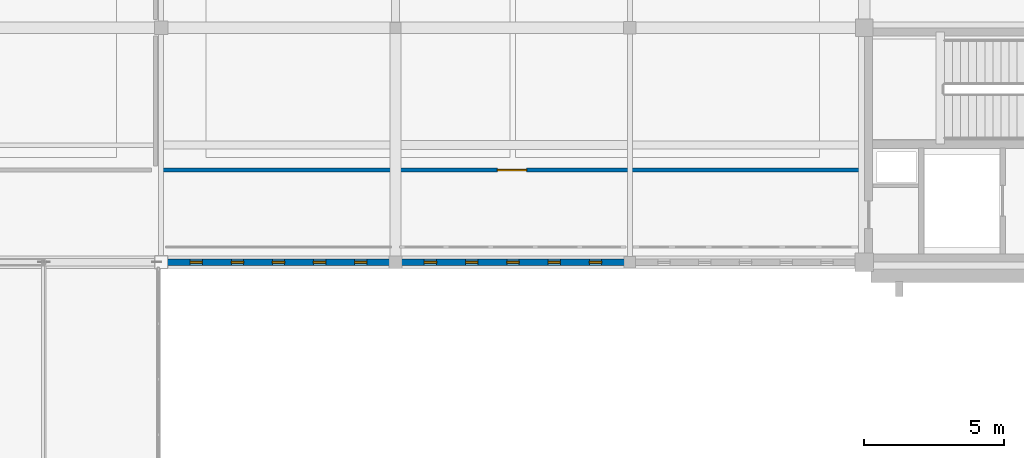
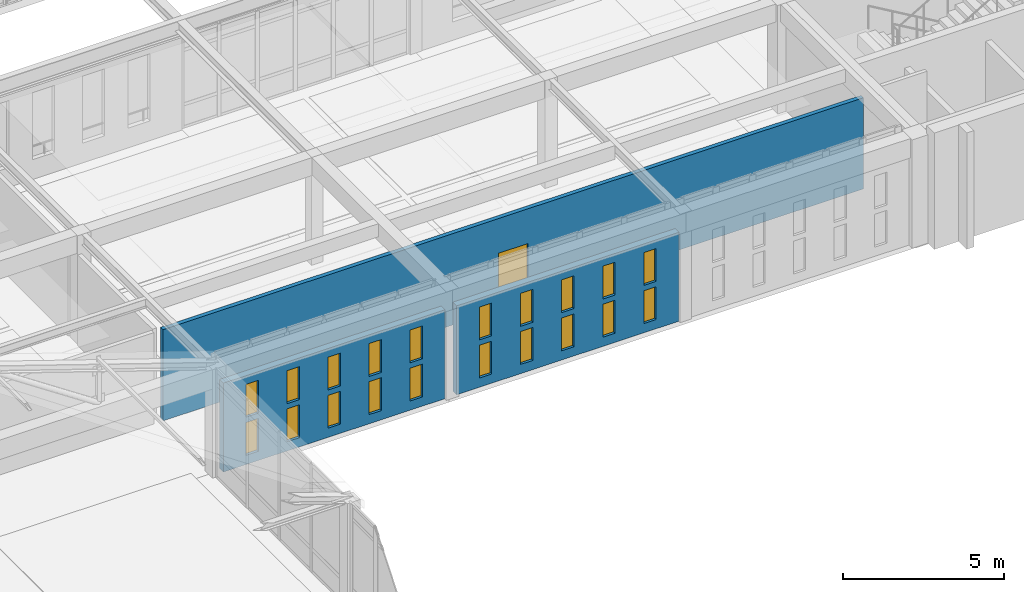
# One storey, part 169 of 192: 20 windows, 3 walls, 1 door, 21 openings.
"""IFC4 building model written with IfcOpenShell, lengths in metres."""

from ifc_helpers import new_model, si_unit, direction, frame, frame_2d, origin, place, context, subcontext, project, spatial, rectangle, extrude, material, layer, layer_set, type_object, element, fill, save


model = new_model("IFC4")

# Units and contexts
model_context = context("Model", 3, precision=1e-05, world=origin(), true_north=direction((0.0, 1.0)))
body_context = subcontext(model_context, "Body", "Model", "MODEL_VIEW")
ifc_project = project(units=[si_unit("LENGTHUNIT", "METRE"), si_unit("AREAUNIT", "SQUARE_METRE"), si_unit("VOLUMEUNIT", "CUBIC_METRE"), si_unit("PLANEANGLEUNIT", "RADIAN"), si_unit("MASSUNIT", "GRAM", prefix="KILO")], contexts=[model_context])

# Site, building, storey
site_placement = place(None, origin())
site = spatial("IfcSite", under=ifc_project, at=site_placement, CompositionType="ELEMENT")
building_placement = place(site_placement, origin())
building = spatial("IfcBuilding", under=site, at=building_placement, Name="Kveldsbrygga Polytechnic", CompositionType="ELEMENT")
storey_placement = place(building_placement, frame((0.0, 0.0, 5.43994140625)))
storey = spatial("IfcBuildingStorey", under=building, at=storey_placement, Name="L01", CompositionType="ELEMENT", Elevation=5.43994140625)

# Wall, openings, windows
ifc_material_1 = material(Name="Fired clay brick masonry M10", Category="masonry")
ifc_layer_1 = layer(ifc_material_1, 0.239990234375)
ifc_layer_set_1 = layer_set([ifc_layer_1], Name="Fired clay brick masonry M10")
wall_type_1 = type_object("IfcWallType", Name="EW-SCRN-240", PredefinedType="SOLIDWALL", material=ifc_layer_set_1)
wall_1_placement = place(storey_placement, frame((75.824951171875, 84.0, 0.0), z_axis=(0.0, 0.0, 1.0), x_axis=(1.0, 0.0, 0.0)))
wall_1 = element("IfcWall", 1, at=wall_1_placement, inside=storey, type_object=wall_type_1, Name="Perforated Brick Corridor Screen Wall SCRW-L01-X-09-10", PredefinedType="SOLIDWALL", context=body_context, shape_type="SweptSolid", body=[
    extrude(rectangle(XDim=7.965087890625, YDim=0.239990234375, at=frame_2d((3.982421875, 0.0))), origin(), (0.0, 0.0, 1.0), 3.380126953125),
])
opening_1_placement = place(wall_1_placement, frame((0.81640625, 0.0, 0.35009765625)))
opening_1 = element("IfcOpeningElement", 2, at=opening_1_placement, cuts=wall_1, Name="Opening W-48", PredefinedType="OPENING", context=body_context, shape_type="SweptSolid", body=[
    extrude(rectangle(XDim=0.43994140625, YDim=1.25, at=frame_2d((0.219970703125, 0.625))), frame((0.0, 0.1298828125, 0.0), z_axis=(0.0, -1.0, 0.0), x_axis=(1.0, 0.0, 0.0)), (0.0, 0.0, 1.0), 0.260009765625),
])
opening_2_placement = place(wall_1_placement, frame((2.28955078125, 0.0, 0.35009765625)))
opening_2 = element("IfcOpeningElement", 3, at=opening_2_placement, cuts=wall_1, Name="Opening W-48", PredefinedType="OPENING", context=body_context, shape_type="SweptSolid", body=[
    extrude(rectangle(XDim=0.43994140625, YDim=1.25, at=frame_2d((0.219970703125, 0.625))), frame((0.0, 0.1298828125, 0.0), z_axis=(0.0, -1.0, 0.0), x_axis=(1.0, 0.0, 0.0)), (0.0, 0.0, 1.0), 0.260009765625),
])
opening_3_placement = place(wall_1_placement, frame((3.762451171875, 0.0, 0.35009765625)))
opening_3 = element("IfcOpeningElement", 4, at=opening_3_placement, cuts=wall_1, Name="Opening W-48", PredefinedType="OPENING", context=body_context, shape_type="SweptSolid", body=[
    extrude(rectangle(XDim=0.43994140625, YDim=1.25, at=frame_2d((0.219970703125, 0.625))), frame((0.0, 0.1298828125, 0.0), z_axis=(0.0, -1.0, 0.0), x_axis=(1.0, 0.0, 0.0)), (0.0, 0.0, 1.0), 0.260009765625),
])
opening_4_placement = place(wall_1_placement, frame((5.235595703125, 0.0, 0.35009765625)))
opening_4 = element("IfcOpeningElement", 5, at=opening_4_placement, cuts=wall_1, Name="Opening W-48", PredefinedType="OPENING", context=body_context, shape_type="SweptSolid", body=[
    extrude(rectangle(XDim=0.43994140625, YDim=1.25, at=frame_2d((0.219970703125, 0.625))), frame((0.0, 0.1298828125, 0.0), z_axis=(0.0, -1.0, 0.0), x_axis=(1.0, 0.0, 0.0)), (0.0, 0.0, 1.0), 0.260009765625),
])
opening_5_placement = place(wall_1_placement, frame((6.70849609375, 0.0, 0.35009765625)))
opening_5 = element("IfcOpeningElement", 6, at=opening_5_placement, cuts=wall_1, Name="Opening W-48", PredefinedType="OPENING", context=body_context, shape_type="SweptSolid", body=[
    extrude(rectangle(XDim=0.43994140625, YDim=1.25, at=frame_2d((0.219970703125, 0.625))), frame((0.0, 0.1298828125, 0.0), z_axis=(0.0, -1.0, 0.0), x_axis=(1.0, 0.0, 0.0)), (0.0, 0.0, 1.0), 0.260009765625),
])
opening_6_placement = place(wall_1_placement, frame((0.81640625, 0.0, 1.800048828125)))
opening_6 = element("IfcOpeningElement", 7, at=opening_6_placement, cuts=wall_1, Name="Opening W-48", PredefinedType="OPENING", context=body_context, shape_type="SweptSolid", body=[
    extrude(rectangle(XDim=0.43994140625, YDim=1.25, at=frame_2d((0.219970703125, 0.625))), frame((0.0, 0.1298828125, 0.0), z_axis=(0.0, -1.0, 0.0), x_axis=(1.0, 0.0, 0.0)), (0.0, 0.0, 1.0), 0.260009765625),
])
opening_7_placement = place(wall_1_placement, frame((2.28955078125, 0.0, 1.800048828125)))
opening_7 = element("IfcOpeningElement", 8, at=opening_7_placement, cuts=wall_1, Name="Opening W-48", PredefinedType="OPENING", context=body_context, shape_type="SweptSolid", body=[
    extrude(rectangle(XDim=0.43994140625, YDim=1.25, at=frame_2d((0.219970703125, 0.625))), frame((0.0, 0.1298828125, 0.0), z_axis=(0.0, -1.0, 0.0), x_axis=(1.0, 0.0, 0.0)), (0.0, 0.0, 1.0), 0.260009765625),
])
opening_8_placement = place(wall_1_placement, frame((3.762451171875, 0.0, 1.800048828125)))
opening_8 = element("IfcOpeningElement", 9, at=opening_8_placement, cuts=wall_1, Name="Opening W-48", PredefinedType="OPENING", context=body_context, shape_type="SweptSolid", body=[
    extrude(rectangle(XDim=0.43994140625, YDim=1.25, at=frame_2d((0.219970703125, 0.625))), frame((0.0, 0.1298828125, 0.0), z_axis=(0.0, -1.0, 0.0), x_axis=(1.0, 0.0, 0.0)), (0.0, 0.0, 1.0), 0.260009765625),
])
opening_9_placement = place(wall_1_placement, frame((5.235595703125, 0.0, 1.800048828125)))
opening_9 = element("IfcOpeningElement", 10, at=opening_9_placement, cuts=wall_1, Name="Opening W-48", PredefinedType="OPENING", context=body_context, shape_type="SweptSolid", body=[
    extrude(rectangle(XDim=0.43994140625, YDim=1.25, at=frame_2d((0.219970703125, 0.625))), frame((0.0, 0.1298828125, 0.0), z_axis=(0.0, -1.0, 0.0), x_axis=(1.0, 0.0, 0.0)), (0.0, 0.0, 1.0), 0.260009765625),
])
opening_10_placement = place(wall_1_placement, frame((6.70849609375, 0.0, 1.800048828125)))
opening_10 = element("IfcOpeningElement", 11, at=opening_10_placement, cuts=wall_1, Name="Opening W-48", PredefinedType="OPENING", context=body_context, shape_type="SweptSolid", body=[
    extrude(rectangle(XDim=0.43994140625, YDim=1.25, at=frame_2d((0.219970703125, 0.625))), frame((0.0, 0.1298828125, 0.0), z_axis=(0.0, -1.0, 0.0), x_axis=(1.0, 0.0, 0.0)), (0.0, 0.0, 1.0), 0.260009765625),
])
ifc_material_2 = material(Name="Insulated triple low-E glass", Category="glass")
window_type = type_object("IfcWindowType", Name="WN-SCRN-044x125", PartitioningType="SINGLE_PANEL", PredefinedType="WINDOW", material=ifc_material_2)
window_1_placement = place(opening_1_placement, origin())
window_1 = element("IfcWindow", 12, at=window_1_placement, inside=storey, type_object=window_type, Name="Perforated Screen Aperture L01-X-09-10-1", OverallHeight=1.25, OverallWidth=0.43994140625, PartitioningType="SINGLE_PANEL", PredefinedType="WINDOW", context=body_context, shape_type="SweptSolid", body=[
    extrude(rectangle(XDim=0.43994140625, YDim=1.25, at=frame_2d((0.219970703125, 0.625))), frame((0.0, 0.030029296875, 0.0), z_axis=(0.0, -1.0, 0.0), x_axis=(1.0, 0.0, 0.0)), (0.0, 0.0, 1.0), 0.06005859375),
])
fill(opening_1, window_1)
window_2_placement = place(opening_2_placement, origin())
window_2 = element("IfcWindow", 13, at=window_2_placement, inside=storey, type_object=window_type, Name="Perforated Screen Aperture L01-X-09-10-2", OverallHeight=1.25, OverallWidth=0.43994140625, PartitioningType="SINGLE_PANEL", PredefinedType="WINDOW", context=body_context, shape_type="SweptSolid", body=[
    extrude(rectangle(XDim=0.43994140625, YDim=1.25, at=frame_2d((0.219970703125, 0.625))), frame((0.0, 0.030029296875, 0.0), z_axis=(0.0, -1.0, 0.0), x_axis=(1.0, 0.0, 0.0)), (0.0, 0.0, 1.0), 0.06005859375),
])
fill(opening_2, window_2)
window_3_placement = place(opening_3_placement, origin())
window_3 = element("IfcWindow", 14, at=window_3_placement, inside=storey, type_object=window_type, Name="Perforated Screen Aperture L01-X-09-10-3", OverallHeight=1.25, OverallWidth=0.43994140625, PartitioningType="SINGLE_PANEL", PredefinedType="WINDOW", context=body_context, shape_type="SweptSolid", body=[
    extrude(rectangle(XDim=0.43994140625, YDim=1.25, at=frame_2d((0.219970703125, 0.625))), frame((0.0, 0.030029296875, 0.0), z_axis=(0.0, -1.0, 0.0), x_axis=(1.0, 0.0, 0.0)), (0.0, 0.0, 1.0), 0.06005859375),
])
fill(opening_3, window_3)
window_4_placement = place(opening_4_placement, origin())
window_4 = element("IfcWindow", 15, at=window_4_placement, inside=storey, type_object=window_type, Name="Perforated Screen Aperture L01-X-09-10-4", OverallHeight=1.25, OverallWidth=0.43994140625, PartitioningType="SINGLE_PANEL", PredefinedType="WINDOW", context=body_context, shape_type="SweptSolid", body=[
    extrude(rectangle(XDim=0.43994140625, YDim=1.25, at=frame_2d((0.219970703125, 0.625))), frame((0.0, 0.030029296875, 0.0), z_axis=(0.0, -1.0, 0.0), x_axis=(1.0, 0.0, 0.0)), (0.0, 0.0, 1.0), 0.06005859375),
])
fill(opening_4, window_4)
window_5_placement = place(opening_5_placement, origin())
window_5 = element("IfcWindow", 16, at=window_5_placement, inside=storey, type_object=window_type, Name="Perforated Screen Aperture L01-X-09-10-5", OverallHeight=1.25, OverallWidth=0.43994140625, PartitioningType="SINGLE_PANEL", PredefinedType="WINDOW", context=body_context, shape_type="SweptSolid", body=[
    extrude(rectangle(XDim=0.43994140625, YDim=1.25, at=frame_2d((0.219970703125, 0.625))), frame((0.0, 0.030029296875, 0.0), z_axis=(0.0, -1.0, 0.0), x_axis=(1.0, 0.0, 0.0)), (0.0, 0.0, 1.0), 0.06005859375),
])
fill(opening_5, window_5)
window_6_placement = place(opening_6_placement, origin())
window_6 = element("IfcWindow", 17, at=window_6_placement, inside=storey, type_object=window_type, Name="Perforated Screen Aperture L01-X-09-10-6", OverallHeight=1.25, OverallWidth=0.43994140625, PartitioningType="SINGLE_PANEL", PredefinedType="WINDOW", context=body_context, shape_type="SweptSolid", body=[
    extrude(rectangle(XDim=0.43994140625, YDim=1.25, at=frame_2d((0.219970703125, 0.625))), frame((0.0, 0.030029296875, 0.0), z_axis=(0.0, -1.0, 0.0), x_axis=(1.0, 0.0, 0.0)), (0.0, 0.0, 1.0), 0.06005859375),
])
fill(opening_6, window_6)
window_7_placement = place(opening_7_placement, origin())
window_7 = element("IfcWindow", 18, at=window_7_placement, inside=storey, type_object=window_type, Name="Perforated Screen Aperture L01-X-09-10-7", OverallHeight=1.25, OverallWidth=0.43994140625, PartitioningType="SINGLE_PANEL", PredefinedType="WINDOW", context=body_context, shape_type="SweptSolid", body=[
    extrude(rectangle(XDim=0.43994140625, YDim=1.25, at=frame_2d((0.219970703125, 0.625))), frame((0.0, 0.030029296875, 0.0), z_axis=(0.0, -1.0, 0.0), x_axis=(1.0, 0.0, 0.0)), (0.0, 0.0, 1.0), 0.06005859375),
])
fill(opening_7, window_7)
window_8_placement = place(opening_8_placement, origin())
window_8 = element("IfcWindow", 19, at=window_8_placement, inside=storey, type_object=window_type, Name="Perforated Screen Aperture L01-X-09-10-8", OverallHeight=1.25, OverallWidth=0.43994140625, PartitioningType="SINGLE_PANEL", PredefinedType="WINDOW", context=body_context, shape_type="SweptSolid", body=[
    extrude(rectangle(XDim=0.43994140625, YDim=1.25, at=frame_2d((0.219970703125, 0.625))), frame((0.0, 0.030029296875, 0.0), z_axis=(0.0, -1.0, 0.0), x_axis=(1.0, 0.0, 0.0)), (0.0, 0.0, 1.0), 0.06005859375),
])
fill(opening_8, window_8)
window_9_placement = place(opening_9_placement, origin())
window_9 = element("IfcWindow", 20, at=window_9_placement, inside=storey, type_object=window_type, Name="Perforated Screen Aperture L01-X-09-10-9", OverallHeight=1.25, OverallWidth=0.43994140625, PartitioningType="SINGLE_PANEL", PredefinedType="WINDOW", context=body_context, shape_type="SweptSolid", body=[
    extrude(rectangle(XDim=0.43994140625, YDim=1.25, at=frame_2d((0.219970703125, 0.625))), frame((0.0, 0.030029296875, 0.0), z_axis=(0.0, -1.0, 0.0), x_axis=(1.0, 0.0, 0.0)), (0.0, 0.0, 1.0), 0.06005859375),
])
fill(opening_9, window_9)
window_10_placement = place(opening_10_placement, origin())
window_10 = element("IfcWindow", 21, at=window_10_placement, inside=storey, type_object=window_type, Name="Perforated Screen Aperture L01-X-09-10-10", OverallHeight=1.25, OverallWidth=0.43994140625, PartitioningType="SINGLE_PANEL", PredefinedType="WINDOW", context=body_context, shape_type="SweptSolid", body=[
    extrude(rectangle(XDim=0.43994140625, YDim=1.25, at=frame_2d((0.219970703125, 0.625))), frame((0.0, 0.030029296875, 0.0), z_axis=(0.0, -1.0, 0.0), x_axis=(1.0, 0.0, 0.0)), (0.0, 0.0, 1.0), 0.06005859375),
])
fill(opening_10, window_10)

wall_2_placement = place(storey_placement, frame((84.2099609375, 84.0, 0.0), z_axis=(0.0, 0.0, 1.0), x_axis=(1.0, 0.0, 0.0)))
wall_2 = element("IfcWall", 22, at=wall_2_placement, inside=storey, type_object=wall_type_1, Name="Perforated Brick Corridor Screen Wall SCRW-L01-X-10-10", PredefinedType="SOLIDWALL", context=body_context, shape_type="SweptSolid", body=[
    extrude(rectangle(XDim=7.9951171875, YDim=0.239990234375, at=frame_2d((3.99755859375, 0.0))), origin(), (0.0, 0.0, 1.0), 3.380126953125),
])
opening_11_placement = place(wall_2_placement, frame((0.819580078125, 0.0, 0.35009765625)))
opening_11 = element("IfcOpeningElement", 23, at=opening_11_placement, cuts=wall_2, Name="Opening W-48", PredefinedType="OPENING", context=body_context, shape_type="SweptSolid", body=[
    extrude(rectangle(XDim=0.43994140625, YDim=1.25, at=frame_2d((0.219970703125, 0.625))), frame((0.0, 0.1298828125, 0.0), z_axis=(0.0, -1.0, 0.0), x_axis=(1.0, 0.0, 0.0)), (0.0, 0.0, 1.0), 0.260009765625),
])
opening_12_placement = place(wall_2_placement, frame((2.298583984375, 0.0, 0.35009765625)))
opening_12 = element("IfcOpeningElement", 24, at=opening_12_placement, cuts=wall_2, Name="Opening W-48", PredefinedType="OPENING", context=body_context, shape_type="SweptSolid", body=[
    extrude(rectangle(XDim=0.43994140625, YDim=1.25, at=frame_2d((0.219970703125, 0.625))), frame((0.0, 0.1298828125, 0.0), z_axis=(0.0, -1.0, 0.0), x_axis=(1.0, 0.0, 0.0)), (0.0, 0.0, 1.0), 0.260009765625),
])
opening_13_placement = place(wall_2_placement, frame((3.777587890625, 0.0, 0.35009765625)))
opening_13 = element("IfcOpeningElement", 25, at=opening_13_placement, cuts=wall_2, Name="Opening W-48", PredefinedType="OPENING", context=body_context, shape_type="SweptSolid", body=[
    extrude(rectangle(XDim=0.43994140625, YDim=1.25, at=frame_2d((0.219970703125, 0.625))), frame((0.0, 0.1298828125, 0.0), z_axis=(0.0, -1.0, 0.0), x_axis=(1.0, 0.0, 0.0)), (0.0, 0.0, 1.0), 0.260009765625),
])
opening_14_placement = place(wall_2_placement, frame((5.256591796875, 0.0, 0.35009765625)))
opening_14 = element("IfcOpeningElement", 26, at=opening_14_placement, cuts=wall_2, Name="Opening W-48", PredefinedType="OPENING", context=body_context, shape_type="SweptSolid", body=[
    extrude(rectangle(XDim=0.43994140625, YDim=1.25, at=frame_2d((0.219970703125, 0.625))), frame((0.0, 0.1298828125, 0.0), z_axis=(0.0, -1.0, 0.0), x_axis=(1.0, 0.0, 0.0)), (0.0, 0.0, 1.0), 0.260009765625),
])
opening_15_placement = place(wall_2_placement, frame((6.735595703125, 0.0, 0.35009765625)))
opening_15 = element("IfcOpeningElement", 27, at=opening_15_placement, cuts=wall_2, Name="Opening W-48", PredefinedType="OPENING", context=body_context, shape_type="SweptSolid", body=[
    extrude(rectangle(XDim=0.43994140625, YDim=1.25, at=frame_2d((0.219970703125, 0.625))), frame((0.0, 0.1298828125, 0.0), z_axis=(0.0, -1.0, 0.0), x_axis=(1.0, 0.0, 0.0)), (0.0, 0.0, 1.0), 0.260009765625),
])
opening_16_placement = place(wall_2_placement, frame((0.819580078125, 0.0, 1.800048828125)))
opening_16 = element("IfcOpeningElement", 28, at=opening_16_placement, cuts=wall_2, Name="Opening W-48", PredefinedType="OPENING", context=body_context, shape_type="SweptSolid", body=[
    extrude(rectangle(XDim=0.43994140625, YDim=1.25, at=frame_2d((0.219970703125, 0.625))), frame((0.0, 0.1298828125, 0.0), z_axis=(0.0, -1.0, 0.0), x_axis=(1.0, 0.0, 0.0)), (0.0, 0.0, 1.0), 0.260009765625),
])
opening_17_placement = place(wall_2_placement, frame((2.298583984375, 0.0, 1.800048828125)))
opening_17 = element("IfcOpeningElement", 29, at=opening_17_placement, cuts=wall_2, Name="Opening W-48", PredefinedType="OPENING", context=body_context, shape_type="SweptSolid", body=[
    extrude(rectangle(XDim=0.43994140625, YDim=1.25, at=frame_2d((0.219970703125, 0.625))), frame((0.0, 0.1298828125, 0.0), z_axis=(0.0, -1.0, 0.0), x_axis=(1.0, 0.0, 0.0)), (0.0, 0.0, 1.0), 0.260009765625),
])
opening_18_placement = place(wall_2_placement, frame((3.777587890625, 0.0, 1.800048828125)))
opening_18 = element("IfcOpeningElement", 30, at=opening_18_placement, cuts=wall_2, Name="Opening W-48", PredefinedType="OPENING", context=body_context, shape_type="SweptSolid", body=[
    extrude(rectangle(XDim=0.43994140625, YDim=1.25, at=frame_2d((0.219970703125, 0.625))), frame((0.0, 0.1298828125, 0.0), z_axis=(0.0, -1.0, 0.0), x_axis=(1.0, 0.0, 0.0)), (0.0, 0.0, 1.0), 0.260009765625),
])
opening_19_placement = place(wall_2_placement, frame((5.256591796875, 0.0, 1.800048828125)))
opening_19 = element("IfcOpeningElement", 31, at=opening_19_placement, cuts=wall_2, Name="Opening W-48", PredefinedType="OPENING", context=body_context, shape_type="SweptSolid", body=[
    extrude(rectangle(XDim=0.43994140625, YDim=1.25, at=frame_2d((0.219970703125, 0.625))), frame((0.0, 0.1298828125, 0.0), z_axis=(0.0, -1.0, 0.0), x_axis=(1.0, 0.0, 0.0)), (0.0, 0.0, 1.0), 0.260009765625),
])
opening_20_placement = place(wall_2_placement, frame((6.735595703125, 0.0, 1.800048828125)))
opening_20 = element("IfcOpeningElement", 32, at=opening_20_placement, cuts=wall_2, Name="Opening W-48", PredefinedType="OPENING", context=body_context, shape_type="SweptSolid", body=[
    extrude(rectangle(XDim=0.43994140625, YDim=1.25, at=frame_2d((0.219970703125, 0.625))), frame((0.0, 0.1298828125, 0.0), z_axis=(0.0, -1.0, 0.0), x_axis=(1.0, 0.0, 0.0)), (0.0, 0.0, 1.0), 0.260009765625),
])
window_11_placement = place(opening_11_placement, origin())
window_11 = element("IfcWindow", 33, at=window_11_placement, inside=storey, type_object=window_type, Name="Perforated Screen Aperture L01-X-10-10-1", OverallHeight=1.25, OverallWidth=0.43994140625, PartitioningType="SINGLE_PANEL", PredefinedType="WINDOW", context=body_context, shape_type="SweptSolid", body=[
    extrude(rectangle(XDim=0.43994140625, YDim=1.25, at=frame_2d((0.219970703125, 0.625))), frame((0.0, 0.030029296875, 0.0), z_axis=(0.0, -1.0, 0.0), x_axis=(1.0, 0.0, 0.0)), (0.0, 0.0, 1.0), 0.06005859375),
])
fill(opening_11, window_11)
window_12_placement = place(opening_12_placement, origin())
window_12 = element("IfcWindow", 34, at=window_12_placement, inside=storey, type_object=window_type, Name="Perforated Screen Aperture L01-X-10-10-2", OverallHeight=1.25, OverallWidth=0.43994140625, PartitioningType="SINGLE_PANEL", PredefinedType="WINDOW", context=body_context, shape_type="SweptSolid", body=[
    extrude(rectangle(XDim=0.43994140625, YDim=1.25, at=frame_2d((0.219970703125, 0.625))), frame((0.0, 0.030029296875, 0.0), z_axis=(0.0, -1.0, 0.0), x_axis=(1.0, 0.0, 0.0)), (0.0, 0.0, 1.0), 0.06005859375),
])
fill(opening_12, window_12)
window_13_placement = place(opening_13_placement, origin())
window_13 = element("IfcWindow", 35, at=window_13_placement, inside=storey, type_object=window_type, Name="Perforated Screen Aperture L01-X-10-10-3", OverallHeight=1.25, OverallWidth=0.43994140625, PartitioningType="SINGLE_PANEL", PredefinedType="WINDOW", context=body_context, shape_type="SweptSolid", body=[
    extrude(rectangle(XDim=0.43994140625, YDim=1.25, at=frame_2d((0.219970703125, 0.625))), frame((0.0, 0.030029296875, 0.0), z_axis=(0.0, -1.0, 0.0), x_axis=(1.0, 0.0, 0.0)), (0.0, 0.0, 1.0), 0.06005859375),
])
fill(opening_13, window_13)
window_14_placement = place(opening_14_placement, origin())
window_14 = element("IfcWindow", 36, at=window_14_placement, inside=storey, type_object=window_type, Name="Perforated Screen Aperture L01-X-10-10-4", OverallHeight=1.25, OverallWidth=0.43994140625, PartitioningType="SINGLE_PANEL", PredefinedType="WINDOW", context=body_context, shape_type="SweptSolid", body=[
    extrude(rectangle(XDim=0.43994140625, YDim=1.25, at=frame_2d((0.219970703125, 0.625))), frame((0.0, 0.030029296875, 0.0), z_axis=(0.0, -1.0, 0.0), x_axis=(1.0, 0.0, 0.0)), (0.0, 0.0, 1.0), 0.06005859375),
])
fill(opening_14, window_14)
window_15_placement = place(opening_15_placement, origin())
window_15 = element("IfcWindow", 37, at=window_15_placement, inside=storey, type_object=window_type, Name="Perforated Screen Aperture L01-X-10-10-5", OverallHeight=1.25, OverallWidth=0.43994140625, PartitioningType="SINGLE_PANEL", PredefinedType="WINDOW", context=body_context, shape_type="SweptSolid", body=[
    extrude(rectangle(XDim=0.43994140625, YDim=1.25, at=frame_2d((0.219970703125, 0.625))), frame((0.0, 0.030029296875, 0.0), z_axis=(0.0, -1.0, 0.0), x_axis=(1.0, 0.0, 0.0)), (0.0, 0.0, 1.0), 0.06005859375),
])
fill(opening_15, window_15)
window_16_placement = place(opening_16_placement, origin())
window_16 = element("IfcWindow", 38, at=window_16_placement, inside=storey, type_object=window_type, Name="Perforated Screen Aperture L01-X-10-10-6", OverallHeight=1.25, OverallWidth=0.43994140625, PartitioningType="SINGLE_PANEL", PredefinedType="WINDOW", context=body_context, shape_type="SweptSolid", body=[
    extrude(rectangle(XDim=0.43994140625, YDim=1.25, at=frame_2d((0.219970703125, 0.625))), frame((0.0, 0.030029296875, 0.0), z_axis=(0.0, -1.0, 0.0), x_axis=(1.0, 0.0, 0.0)), (0.0, 0.0, 1.0), 0.06005859375),
])
fill(opening_16, window_16)
window_17_placement = place(opening_17_placement, origin())
window_17 = element("IfcWindow", 39, at=window_17_placement, inside=storey, type_object=window_type, Name="Perforated Screen Aperture L01-X-10-10-7", OverallHeight=1.25, OverallWidth=0.43994140625, PartitioningType="SINGLE_PANEL", PredefinedType="WINDOW", context=body_context, shape_type="SweptSolid", body=[
    extrude(rectangle(XDim=0.43994140625, YDim=1.25, at=frame_2d((0.219970703125, 0.625))), frame((0.0, 0.030029296875, 0.0), z_axis=(0.0, -1.0, 0.0), x_axis=(1.0, 0.0, 0.0)), (0.0, 0.0, 1.0), 0.06005859375),
])
fill(opening_17, window_17)
window_18_placement = place(opening_18_placement, origin())
window_18 = element("IfcWindow", 40, at=window_18_placement, inside=storey, type_object=window_type, Name="Perforated Screen Aperture L01-X-10-10-8", OverallHeight=1.25, OverallWidth=0.43994140625, PartitioningType="SINGLE_PANEL", PredefinedType="WINDOW", context=body_context, shape_type="SweptSolid", body=[
    extrude(rectangle(XDim=0.43994140625, YDim=1.25, at=frame_2d((0.219970703125, 0.625))), frame((0.0, 0.030029296875, 0.0), z_axis=(0.0, -1.0, 0.0), x_axis=(1.0, 0.0, 0.0)), (0.0, 0.0, 1.0), 0.06005859375),
])
fill(opening_18, window_18)
window_19_placement = place(opening_19_placement, origin())
window_19 = element("IfcWindow", 41, at=window_19_placement, inside=storey, type_object=window_type, Name="Perforated Screen Aperture L01-X-10-10-9", OverallHeight=1.25, OverallWidth=0.43994140625, PartitioningType="SINGLE_PANEL", PredefinedType="WINDOW", context=body_context, shape_type="SweptSolid", body=[
    extrude(rectangle(XDim=0.43994140625, YDim=1.25, at=frame_2d((0.219970703125, 0.625))), frame((0.0, 0.030029296875, 0.0), z_axis=(0.0, -1.0, 0.0), x_axis=(1.0, 0.0, 0.0)), (0.0, 0.0, 1.0), 0.06005859375),
])
fill(opening_19, window_19)
window_20_placement = place(opening_20_placement, origin())
window_20 = element("IfcWindow", 42, at=window_20_placement, inside=storey, type_object=window_type, Name="Perforated Screen Aperture L01-X-10-10-10", OverallHeight=1.25, OverallWidth=0.43994140625, PartitioningType="SINGLE_PANEL", PredefinedType="WINDOW", context=body_context, shape_type="SweptSolid", body=[
    extrude(rectangle(XDim=0.43994140625, YDim=1.25, at=frame_2d((0.219970703125, 0.625))), frame((0.0, 0.030029296875, 0.0), z_axis=(0.0, -1.0, 0.0), x_axis=(1.0, 0.0, 0.0)), (0.0, 0.0, 1.0), 0.06005859375),
])
fill(opening_20, window_20)

# Wall, opening, door
ifc_material_3 = material(Name="Gypsum acoustic stud partition")
ifc_layer_2 = layer(ifc_material_3, 0.14990234375)
ifc_layer_set_2 = layer_set([ifc_layer_2], Name="Gypsum acoustic stud partition")
wall_type_2 = type_object("IfcWallType", Name="IW-SEM-150", PredefinedType="PARTITIONING", material=ifc_layer_set_2)
wall_3_placement = place(storey_placement, frame((75.580078125, 87.300048828125, 0.0), z_axis=(0.0, 0.0, 1.0), x_axis=(1.0, 0.0, 0.0)))
wall_3 = element("IfcWall", 43, at=wall_3_placement, inside=storey, type_object=wall_type_2, Name="Partition Wall IW-SP-L01-SEM12-S1", PredefinedType="PARTITIONING", context=body_context, shape_type="SweptSolid", body=[
    extrude(rectangle(XDim=25.18994140625, YDim=0.14990234375, at=frame_2d((12.594970703125, 0.0))), origin(), (0.0, 0.0, 1.0), 3.469970703125),
])
opening_21_placement = place(wall_3_placement, frame((12.070068359375, 0.0, 0.0)))
opening_21 = element("IfcOpeningElement", 44, at=opening_21_placement, cuts=wall_3, Name="Opening ID-L01-048", PredefinedType="OPENING", context=body_context, shape_type="SweptSolid", body=[
    extrude(rectangle(XDim=1.050048828125, YDim=2.14990234375, at=frame_2d((0.52490234375, 1.074951171875))), frame((0.0, 0.0849609375, 0.0), z_axis=(0.0, -1.0, 0.0), x_axis=(1.0, 0.0, 0.0)), (0.0, 0.0, 1.0), 0.169921875),
])
ifc_material_4 = material(Name="Acoustic oak timber", Category="wood")
door_type = type_object("IfcDoorType", Name="ID-SEM-105x215", OperationType="NOTDEFINED", PredefinedType="DOOR", material=ifc_material_4)
door_placement = place(opening_21_placement, origin())
door = element("IfcDoor", 45, at=door_placement, inside=storey, type_object=door_type, Name="Interior Door ID-L01-048", OperationType="SINGLE_SWING_LEFT", OverallHeight=2.14990234375, OverallWidth=1.050048828125, PredefinedType="DOOR", context=body_context, shape_type="SweptSolid", body=[
    extrude(rectangle(XDim=1.050048828125, YDim=2.14990234375, at=frame_2d((0.52490234375, 1.074951171875))), frame((0.0, 0.02490234375, 0.0), z_axis=(0.0, -1.0, 0.0), x_axis=(1.0, 0.0, 0.0)), (0.0, 0.0, 1.0), 0.050048828125),
])
fill(opening_21, door)

save(model, "model.ifc")
